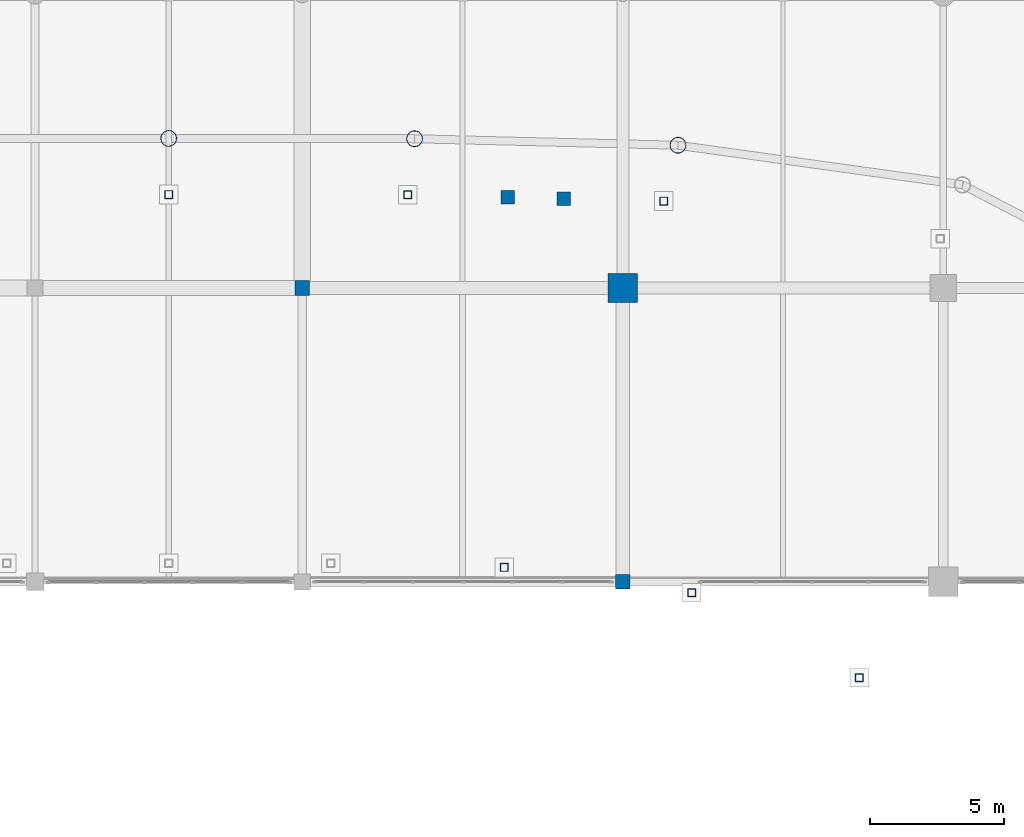
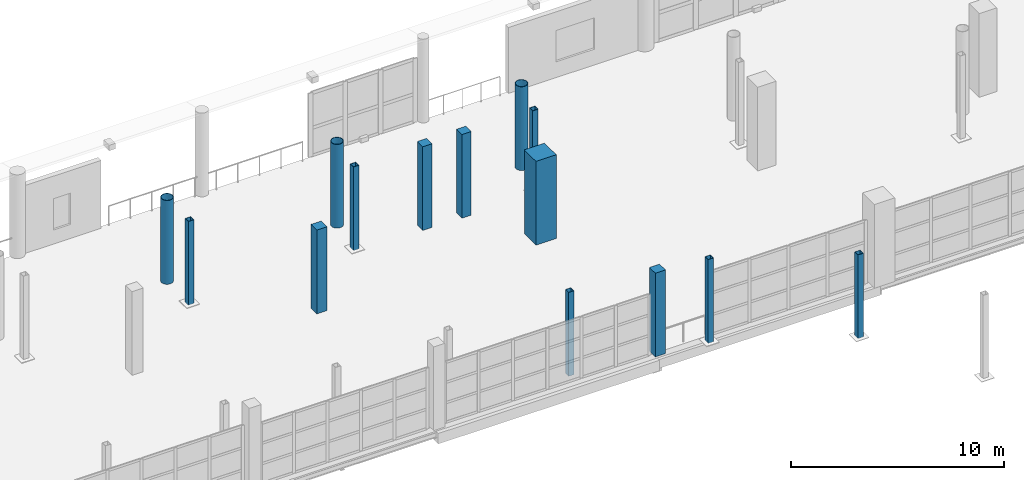
# One storey, part 12 of 143: 14 columns.
"""IFC4 building model written with IfcOpenShell, lengths in metres."""

from ifc_helpers import new_model, si_unit, direction, frame, origin, origin_2d, place, context, subcontext, project, spatial, rectangle, hollow_rectangle, hollow_circle, extrude, material, material_profile, profile_set, type_object, element, save


model = new_model("IFC4")

# Units and contexts
model_context = context("Model", 3, precision=1e-05, world=origin(), true_north=direction((0.0, 1.0)))
body_context = subcontext(model_context, "Body", "Model", "MODEL_VIEW")
ifc_project = project(units=[si_unit("LENGTHUNIT", "METRE"), si_unit("AREAUNIT", "SQUARE_METRE"), si_unit("VOLUMEUNIT", "CUBIC_METRE"), si_unit("PLANEANGLEUNIT", "RADIAN"), si_unit("MASSUNIT", "GRAM", prefix="KILO")], contexts=[model_context])

# Site, building, storey
site_placement = place(None, origin())
site = spatial("IfcSite", under=ifc_project, at=site_placement, CompositionType="ELEMENT")
building_placement = place(site_placement, origin())
building = spatial("IfcBuilding", under=site, at=building_placement, Name="Luwafu Chhajja Arena", CompositionType="ELEMENT")
storey_placement = place(building_placement, frame((0.0, 0.0, 5.39990234375)))
storey = spatial("IfcBuildingStorey", under=building, at=storey_placement, Name="L01", CompositionType="ELEMENT", Elevation=5.39990234375)

# Columns
ifc_material_1 = material(Name="Concrete C40/50", Category="concrete")
ifc_material_profile_1 = material_profile(ifc_material_1, rectangle(XDim=1.10009765625, YDim=1.10009765625, at=origin_2d()), Name="RC 1100x1100")
ifc_profile_set_1 = profile_set([ifc_material_profile_1], Name="Concrete C40/50")
column_type_1 = type_object("IfcColumnType", Name="Bowl Rim Mega Column RC 1100", PredefinedType="COLUMN", material=ifc_profile_set_1)
column_placement = place(storey_placement, frame((116.0, 88.0, 0.0), z_axis=(0.0, 0.0, 1.0), x_axis=(1.0, 0.0, 0.0)))
element("IfcColumn", 1, at=column_placement, inside=storey, type_object=column_type_1, Name="L01 Grid Column 11/J", PredefinedType="COLUMN", context=body_context, shape_type="SweptSolid", body=[
    extrude(rectangle(XDim=1.10009765625, YDim=1.10009765625, at=origin_2d()), origin(), (0.0, 0.0, 1.0), 4.800048828125),
])
ifc_material_2 = material(Name="Concrete C35/45", Category="concrete")
ifc_material_profile_2 = material_profile(ifc_material_2, rectangle(XDim=0.550048828125, YDim=0.550048828125, at=origin_2d()), Name="RC 550x550")
ifc_profile_set_2 = profile_set([ifc_material_profile_2], Name="Concrete C35/45")
column_type_2 = type_object("IfcColumnType", Name="Gallery Column RC 550", PredefinedType="COLUMN", material=ifc_profile_set_2)
for number, where, z_axis, x_axis, name in (
    (2, (104.0, 88.0, 0.0), (0.0, 0.0, 1.0), (1.0, 0.0, 0.0), "L01 Grid Column 10/J"),
    (3, (116.0, 77.0, 0.0), (0.0, 0.0, 1.0), (1.0, 0.0, 0.0), "L01 Grid Column 11/H"),
):
    element("IfcColumn", number, at=place(storey_placement, frame(where, z_axis=z_axis, x_axis=x_axis)), inside=storey, type_object=column_type_2, Name=name, PredefinedType="COLUMN", context=body_context, shape_type="SweptSolid", body=[
        extrude(rectangle(XDim=0.550048828125, YDim=0.550048828125, at=origin_2d()), origin(), (0.0, 0.0, 1.0), 4.800048828125),
    ])
ifc_material_profile_3 = material_profile(ifc_material_2, rectangle(XDim=0.5, YDim=0.5, at=origin_2d()), Name="RC 500x500")
ifc_profile_set_3 = profile_set([ifc_material_profile_3], Name="Concrete C35/45")
column_type_3 = type_object("IfcColumnType", Name="Pavilion Column RC 500", PredefinedType="COLUMN", material=ifc_profile_set_3)
for number, where, z_axis, x_axis, name in (
    (4, (113.789794921875, 91.347412109375, 0.0), (0.0, 0.0, 1.0), (1.0, 0.0, 0.0), "L01 Vomitory Stack Column VU07A"),
    (5, (111.6904296875, 91.398193359375, 0.0), (0.0, 0.0, 1.0), (1.0, 0.0, 0.0), "L01 Vomitory Stack Column VU07B"),
):
    element("IfcColumn", number, at=place(storey_placement, frame(where, z_axis=z_axis, x_axis=x_axis)), inside=storey, type_object=column_type_3, Name=name, PredefinedType="COLUMN", context=body_context, shape_type="SweptSolid", body=[
        extrude(rectangle(XDim=0.5, YDim=0.5, at=origin_2d()), origin(), (0.0, 0.0, 1.0), 4.800048828125),
    ])
ifc_material_3 = material(Name="Steel S355", Category="steel")
ifc_material_profile_4 = material_profile(ifc_material_3, hollow_circle(Radius=0.304931640625, WallThickness=0.02490234375, at=origin_2d()), Name="CHS 610x25")
ifc_profile_set_4 = profile_set([ifc_material_profile_4], Name="Steel S355")
column_type_4 = type_object("IfcColumnType", Name="Steel Bowl Drum Column CHS 610", PredefinedType="COLUMN", material=ifc_profile_set_4)
for number, where, z_axis, x_axis, name in (
    (6, (118.067138671875, 93.3447265625, 0.0), (0.0, 0.0, 1.0), (1.0, 0.0, 0.0), "L01 Bowl Drum Column D07"),
    (7, (108.207275390625, 93.588134765625, 0.0), (0.0, 0.0, 1.0), (1.0, 0.0, 0.0), "L01 Bowl Drum Column D08"),
    (8, (99.0, 93.60009765625, 0.0), (0.0, 0.0, 1.0), (1.0, 0.0, 0.0), "L01 Bowl Drum Column D09"),
):
    element("IfcColumn", number, at=place(storey_placement, frame(where, z_axis=z_axis, x_axis=x_axis)), inside=storey, type_object=column_type_4, Name=name, PredefinedType="COLUMN", context=body_context, shape_type="SweptSolid", body=[
        extrude(hollow_circle(Radius=0.304931640625, WallThickness=0.02490234375, at=origin_2d()), origin(), (0.0, 0.0, 1.0), 4.800048828125),
    ])
ifc_material_profile_5 = material_profile(ifc_material_3, hollow_rectangle(XDim=0.300048828125, YDim=0.300048828125, WallThickness=0.01611328125, at=origin_2d()), Name="SHS 300x300x16")
ifc_profile_set_5 = profile_set([ifc_material_profile_5], Name="Steel S355")
column_type_5 = type_object("IfcColumnType", Name="Steel Gallery Post SHS 300", PredefinedType="COLUMN", material=ifc_profile_set_5)
for number, where, z_axis, x_axis, name in (
    (9, (124.85986328125, 73.409912109375, 0.0), (0.0, 0.0, 1.0), (1.0, 0.0, 0.0), "L01 Upper Bowl Raker Column UI05"),
    (10, (118.57666015625, 76.589111328125, 0.0), (0.0, 0.0, 1.0), (1.0, 0.0, 0.0), "L01 Upper Bowl Raker Column UI06"),
    (11, (111.560302734375, 77.536865234375, 0.0), (0.0, 0.0, 1.0), (1.0, 0.0, 0.0), "L01 Upper Bowl Raker Column UI07"),
    (12, (117.53173828125, 91.2568359375, 0.0), (0.0, 0.0, 1.0), (1.0, 0.0, 0.0), "L01 Upper Bowl Raker Column UO07"),
    (13, (107.948486328125, 91.48876953125, 0.0), (0.0, 0.0, 1.0), (1.0, 0.0, 0.0), "L01 Upper Bowl Raker Column UO08"),
    (14, (99.0, 91.5, 0.0), (0.0, 0.0, 1.0), (1.0, 0.0, 0.0), "L01 Upper Bowl Raker Column UO09"),
):
    element("IfcColumn", number, at=place(storey_placement, frame(where, z_axis=z_axis, x_axis=x_axis)), inside=storey, type_object=column_type_5, Name=name, PredefinedType="COLUMN", context=body_context, shape_type="SweptSolid", body=[
        extrude(hollow_rectangle(XDim=0.300048828125, YDim=0.300048828125, WallThickness=0.01611328125, at=origin_2d()), origin(), (0.0, 0.0, 1.0), 4.800048828125),
    ])

save(model, "model.ifc")
